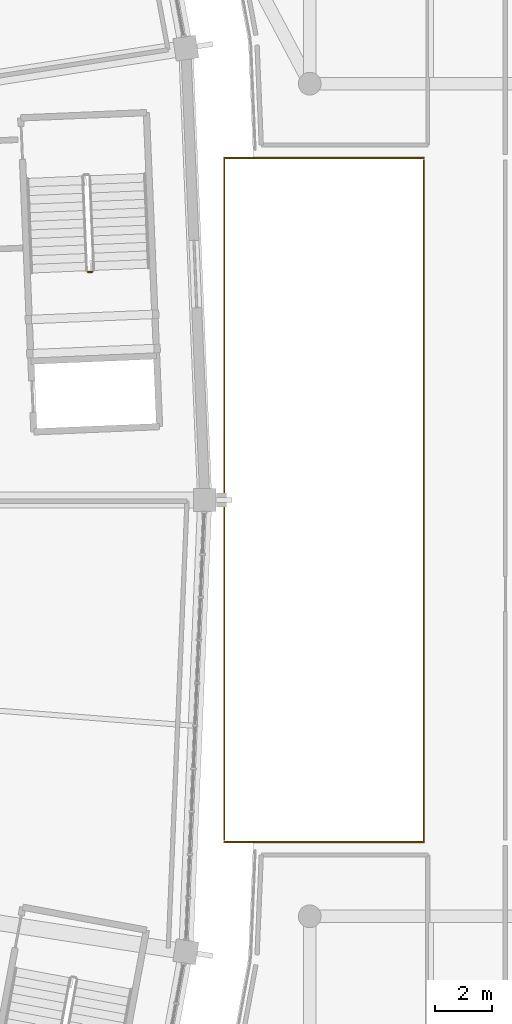
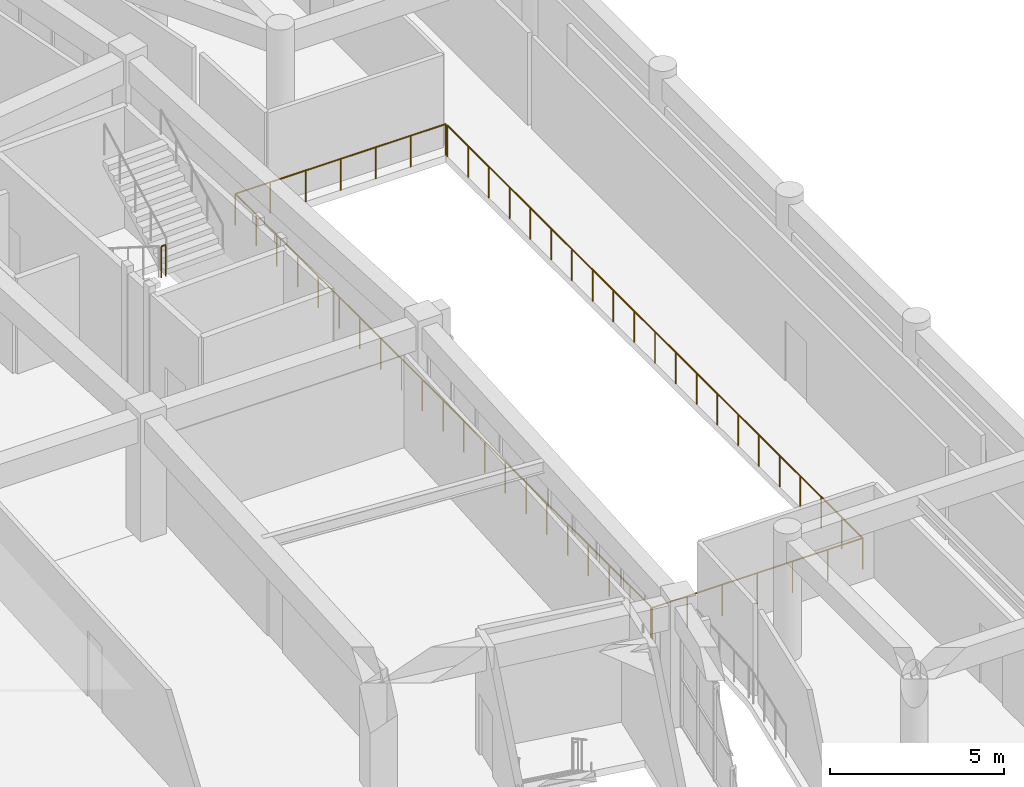
# One storey, part 133 of 145: 3 railings.
"""IFC4 building model written with IfcOpenShell, lengths in metres."""

from ifc_helpers import new_model, si_unit, direction, frame, origin, origin_2d, place, context, subcontext, project, spatial, circle, extrude, material, type_object, element, save


model = new_model("IFC4")

# Units and contexts
model_context = context("Model", 3, precision=1e-05, world=origin(), true_north=direction((0.0, 1.0)))
body_context = subcontext(model_context, "Body", "Model", "MODEL_VIEW")
ifc_project = project(units=[si_unit("LENGTHUNIT", "METRE"), si_unit("AREAUNIT", "SQUARE_METRE"), si_unit("VOLUMEUNIT", "CUBIC_METRE"), si_unit("PLANEANGLEUNIT", "RADIAN"), si_unit("MASSUNIT", "GRAM", prefix="KILO")], contexts=[model_context])

# Site, building, storey
site_placement = place(None, origin())
site = spatial("IfcSite", under=ifc_project, at=site_placement, CompositionType="ELEMENT")
building_placement = place(site_placement, origin())
building = spatial("IfcBuilding", under=site, at=building_placement, Name="Mphavela Belvedere Stadium", CompositionType="ELEMENT")
storey_placement = place(building_placement, frame((0.0, 0.0, 10.199951171875)))
storey = spatial("IfcBuildingStorey", under=building, at=storey_placement, Name="L02", CompositionType="ELEMENT", Elevation=10.199951171875)

# Railings
ifc_material_1 = material(Name="Bronze and laminated glass stadium balustrade", Category="glass")
railing_type_1 = type_object("IfcRailingType", Name="RAL-BALUSTRADE-1120", PredefinedType="BALUSTRADE", material=ifc_material_1)
railing_1_placement = place(storey_placement, frame((218.5, 75.0, 0.0)))
element("IfcRailing", 1, at=railing_1_placement, inside=storey, type_object=railing_type_1, Name="East Planted Eaves Peristyle Colonnade court balustrade L02-A", PredefinedType="BALUSTRADE", context=body_context, shape_type="SweptSolid", body=[
    extrude(circle(Radius=0.02392578125, at=origin_2d()), frame((0.0, 0.0, 1.09619140625), z_axis=(1.0, 0.0, 0.0), x_axis=(0.0, 1.0, 0.0)), (0.0, 0.0, 1.0), 7.0),
    extrude(circle(Radius=0.02392578125, at=origin_2d()), frame((7.0, 0.0, 1.09619140625), z_axis=(0.0, 1.0, 0.0), x_axis=(-1.0, 0.0, 0.0)), (0.0, 0.0, 1.0), 23.919921875),
    extrude(circle(Radius=0.02099609375, at=origin_2d()), origin(), (0.0, 0.0, 1.0), 1.072021484375),
    extrude(circle(Radius=0.02099609375, at=origin_2d()), frame((1.166748046875, 0.0, 0.0)), (0.0, 0.0, 1.0), 1.072021484375),
    extrude(circle(Radius=0.02099609375, at=origin_2d()), frame((2.333251953125, 0.0, 0.0)), (0.0, 0.0, 1.0), 1.072021484375),
    extrude(circle(Radius=0.02099609375, at=origin_2d()), frame((3.5, 0.0, 0.0)), (0.0, 0.0, 1.0), 1.072021484375),
    extrude(circle(Radius=0.02099609375, at=origin_2d()), frame((4.666748046875, 0.0, 0.0)), (0.0, 0.0, 1.0), 1.072021484375),
    extrude(circle(Radius=0.02099609375, at=origin_2d()), frame((5.833251953125, 0.0, 0.0)), (0.0, 0.0, 1.0), 1.072021484375),
    extrude(circle(Radius=0.02099609375, at=origin_2d()), frame((7.0, 0.0, 0.0)), (0.0, 0.0, 1.0), 1.072021484375),
    extrude(circle(Radius=0.02099609375, at=origin_2d()), frame((7.0, 1.196044921875, 0.0)), (0.0, 0.0, 1.0), 1.072021484375),
    extrude(circle(Radius=0.02099609375, at=origin_2d()), frame((7.0, 2.39208984375, 0.0)), (0.0, 0.0, 1.0), 1.072021484375),
    extrude(circle(Radius=0.02099609375, at=origin_2d()), frame((7.0, 3.587890625, 0.0)), (0.0, 0.0, 1.0), 1.072021484375),
    extrude(circle(Radius=0.02099609375, at=origin_2d()), frame((7.0, 4.783935546875, 0.0)), (0.0, 0.0, 1.0), 1.072021484375),
    extrude(circle(Radius=0.02099609375, at=origin_2d()), frame((7.0, 5.97998046875, 0.0)), (0.0, 0.0, 1.0), 1.072021484375),
    extrude(circle(Radius=0.02099609375, at=origin_2d()), frame((7.0, 7.176025390625, 0.0)), (0.0, 0.0, 1.0), 1.072021484375),
    extrude(circle(Radius=0.02099609375, at=origin_2d()), frame((7.0, 8.3720703125, 0.0)), (0.0, 0.0, 1.0), 1.072021484375),
    extrude(circle(Radius=0.02099609375, at=origin_2d()), frame((7.0, 9.56787109375, 0.0)), (0.0, 0.0, 1.0), 1.072021484375),
    extrude(circle(Radius=0.02099609375, at=origin_2d()), frame((7.0, 10.763916015625, 0.0)), (0.0, 0.0, 1.0), 1.072021484375),
    extrude(circle(Radius=0.02099609375, at=origin_2d()), frame((7.0, 11.9599609375, 0.0)), (0.0, 0.0, 1.0), 1.072021484375),
    extrude(circle(Radius=0.02099609375, at=origin_2d()), frame((7.0, 13.156005859375, 0.0)), (0.0, 0.0, 1.0), 1.072021484375),
    extrude(circle(Radius=0.02099609375, at=origin_2d()), frame((7.0, 14.35205078125, 0.0)), (0.0, 0.0, 1.0), 1.072021484375),
    extrude(circle(Radius=0.02099609375, at=origin_2d()), frame((7.0, 15.5478515625, 0.0)), (0.0, 0.0, 1.0), 1.072021484375),
    extrude(circle(Radius=0.02099609375, at=origin_2d()), frame((7.0, 16.743896484375, 0.0)), (0.0, 0.0, 1.0), 1.072021484375),
    extrude(circle(Radius=0.02099609375, at=origin_2d()), frame((7.0, 17.93994140625, 0.0)), (0.0, 0.0, 1.0), 1.072021484375),
    extrude(circle(Radius=0.02099609375, at=origin_2d()), frame((7.0, 19.135986328125, 0.0)), (0.0, 0.0, 1.0), 1.072021484375),
    extrude(circle(Radius=0.02099609375, at=origin_2d()), frame((7.0, 20.33203125, 0.0)), (0.0, 0.0, 1.0), 1.072021484375),
    extrude(circle(Radius=0.02099609375, at=origin_2d()), frame((7.0, 21.52783203125, 0.0)), (0.0, 0.0, 1.0), 1.072021484375),
    extrude(circle(Radius=0.02099609375, at=origin_2d()), frame((7.0, 22.723876953125, 0.0)), (0.0, 0.0, 1.0), 1.072021484375),
    extrude(circle(Radius=0.02099609375, at=origin_2d()), frame((7.0, 23.919921875, 0.0)), (0.0, 0.0, 1.0), 1.072021484375),
])
railing_2_placement = place(storey_placement, frame((225.5, 99.0, 0.0)))
element("IfcRailing", 2, at=railing_2_placement, inside=storey, type_object=railing_type_1, Name="East Planted Eaves Peristyle Colonnade court balustrade L02-B", PredefinedType="BALUSTRADE", context=body_context, shape_type="SweptSolid", body=[
    extrude(circle(Radius=0.02392578125, at=origin_2d()), frame((0.0, 0.0, 1.09619140625), z_axis=(-1.0, 0.0, 0.0), x_axis=(0.0, -1.0, 0.0)), (0.0, 0.0, 1.0), 7.0),
    extrude(circle(Radius=0.02392578125, at=origin_2d()), frame((-7.0, 0.0, 1.09619140625), z_axis=(0.0, -1.0, 0.0), x_axis=(1.0, 0.0, 0.0)), (0.0, 0.0, 1.0), 23.919921875),
    extrude(circle(Radius=0.02099609375, at=origin_2d()), origin(), (0.0, 0.0, 1.0), 1.072021484375),
    extrude(circle(Radius=0.02099609375, at=origin_2d()), frame((-1.166748046875, 0.0, 0.0)), (0.0, 0.0, 1.0), 1.072021484375),
    extrude(circle(Radius=0.02099609375, at=origin_2d()), frame((-2.333251953125, 0.0, 0.0)), (0.0, 0.0, 1.0), 1.072021484375),
    extrude(circle(Radius=0.02099609375, at=origin_2d()), frame((-3.5, 0.0, 0.0)), (0.0, 0.0, 1.0), 1.072021484375),
    extrude(circle(Radius=0.02099609375, at=origin_2d()), frame((-4.666748046875, 0.0, 0.0)), (0.0, 0.0, 1.0), 1.072021484375),
    extrude(circle(Radius=0.02099609375, at=origin_2d()), frame((-5.833251953125, 0.0, 0.0)), (0.0, 0.0, 1.0), 1.072021484375),
    extrude(circle(Radius=0.02099609375, at=origin_2d()), frame((-7.0, 0.0, 0.0)), (0.0, 0.0, 1.0), 1.072021484375),
    extrude(circle(Radius=0.02099609375, at=origin_2d()), frame((-7.0, -1.196044921875, 0.0)), (0.0, 0.0, 1.0), 1.072021484375),
    extrude(circle(Radius=0.02099609375, at=origin_2d()), frame((-7.0, -2.39208984375, 0.0)), (0.0, 0.0, 1.0), 1.072021484375),
    extrude(circle(Radius=0.02099609375, at=origin_2d()), frame((-7.0, -3.587890625, 0.0)), (0.0, 0.0, 1.0), 1.072021484375),
    extrude(circle(Radius=0.02099609375, at=origin_2d()), frame((-7.0, -4.783935546875, 0.0)), (0.0, 0.0, 1.0), 1.072021484375),
    extrude(circle(Radius=0.02099609375, at=origin_2d()), frame((-7.0, -5.97998046875, 0.0)), (0.0, 0.0, 1.0), 1.072021484375),
    extrude(circle(Radius=0.02099609375, at=origin_2d()), frame((-7.0, -7.176025390625, 0.0)), (0.0, 0.0, 1.0), 1.072021484375),
    extrude(circle(Radius=0.02099609375, at=origin_2d()), frame((-7.0, -8.3720703125, 0.0)), (0.0, 0.0, 1.0), 1.072021484375),
    extrude(circle(Radius=0.02099609375, at=origin_2d()), frame((-7.0, -9.56787109375, 0.0)), (0.0, 0.0, 1.0), 1.072021484375),
    extrude(circle(Radius=0.02099609375, at=origin_2d()), frame((-7.0, -10.763916015625, 0.0)), (0.0, 0.0, 1.0), 1.072021484375),
    extrude(circle(Radius=0.02099609375, at=origin_2d()), frame((-7.0, -11.9599609375, 0.0)), (0.0, 0.0, 1.0), 1.072021484375),
    extrude(circle(Radius=0.02099609375, at=origin_2d()), frame((-7.0, -13.156005859375, 0.0)), (0.0, 0.0, 1.0), 1.072021484375),
    extrude(circle(Radius=0.02099609375, at=origin_2d()), frame((-7.0, -14.35205078125, 0.0)), (0.0, 0.0, 1.0), 1.072021484375),
    extrude(circle(Radius=0.02099609375, at=origin_2d()), frame((-7.0, -15.5478515625, 0.0)), (0.0, 0.0, 1.0), 1.072021484375),
    extrude(circle(Radius=0.02099609375, at=origin_2d()), frame((-7.0, -16.743896484375, 0.0)), (0.0, 0.0, 1.0), 1.072021484375),
    extrude(circle(Radius=0.02099609375, at=origin_2d()), frame((-7.0, -17.93994140625, 0.0)), (0.0, 0.0, 1.0), 1.072021484375),
    extrude(circle(Radius=0.02099609375, at=origin_2d()), frame((-7.0, -19.135986328125, 0.0)), (0.0, 0.0, 1.0), 1.072021484375),
    extrude(circle(Radius=0.02099609375, at=origin_2d()), frame((-7.0, -20.33203125, 0.0)), (0.0, 0.0, 1.0), 1.072021484375),
    extrude(circle(Radius=0.02099609375, at=origin_2d()), frame((-7.0, -21.52783203125, 0.0)), (0.0, 0.0, 1.0), 1.072021484375),
    extrude(circle(Radius=0.02099609375, at=origin_2d()), frame((-7.0, -22.723876953125, 0.0)), (0.0, 0.0, 1.0), 1.072021484375),
    extrude(circle(Radius=0.02099609375, at=origin_2d()), frame((-7.0, -23.919921875, 0.0)), (0.0, 0.0, 1.0), 1.072021484375),
])
ifc_material_2 = material(Name="Painted galvanised steel stair guardrail", Category="steel")
railing_type_2 = type_object("IfcRailingType", Name="RAL-GUARD-1120", PredefinedType="GUARDRAIL", material=ifc_material_2)
railing_3_placement = place(storey_placement, frame((213.72412109375, 94.992431640625, 2.25)))
element("IfcRailing", 3, at=railing_3_placement, inside=storey, type_object=railing_type_2, Name="L02 ST-C01 stair guard 2", PredefinedType="GUARDRAIL", context=body_context, shape_type="SweptSolid", body=[
    extrude(circle(Radius=0.02392578125, at=origin_2d()), frame((0.0, 0.0, 1.09619140625), z_axis=(0.999104642697, 0.04230736272, 0.0), x_axis=(-0.04230736272, 0.999104642697, 0.0)), (0.0, 0.0, 1.0), 0.150146484375),
    extrude(circle(Radius=0.02099609375, at=origin_2d()), origin(), (0.0, 0.0, 1.0), 1.072021484375),
    extrude(circle(Radius=0.02099609375, at=origin_2d()), frame((0.14990234375, 0.00634765625, 0.0)), (0.0, 0.0, 1.0), 1.072021484375),
])

save(model, "model.ifc")
